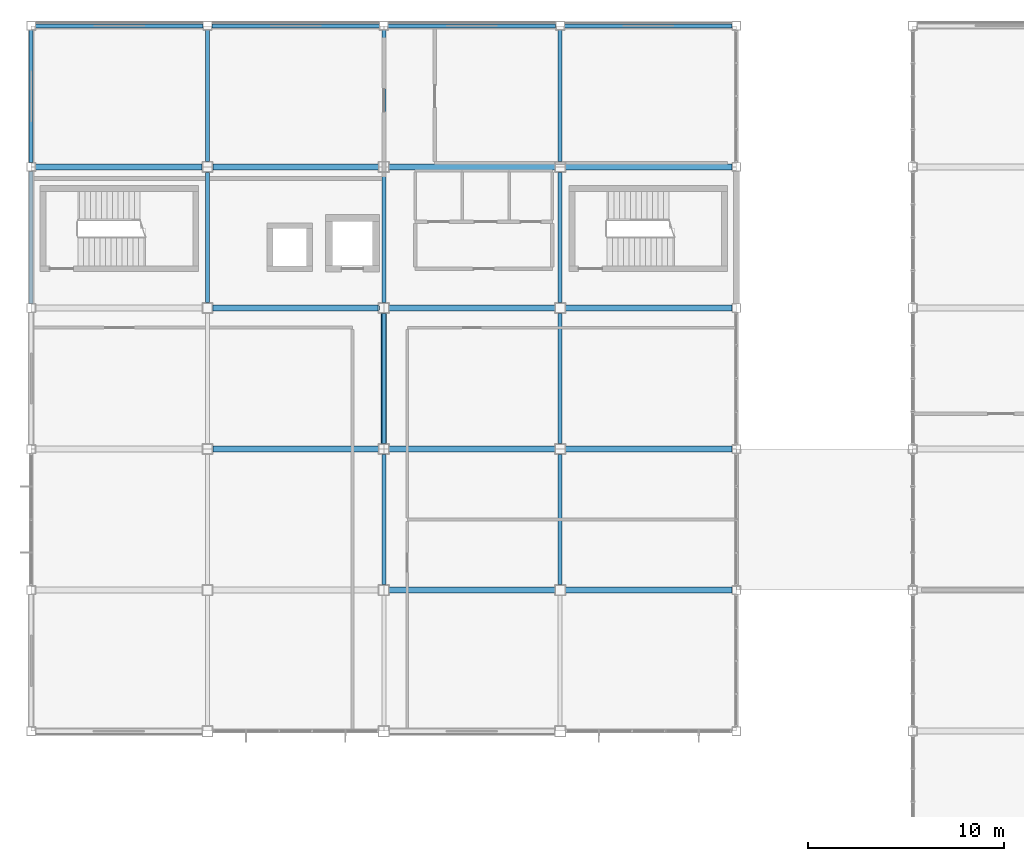
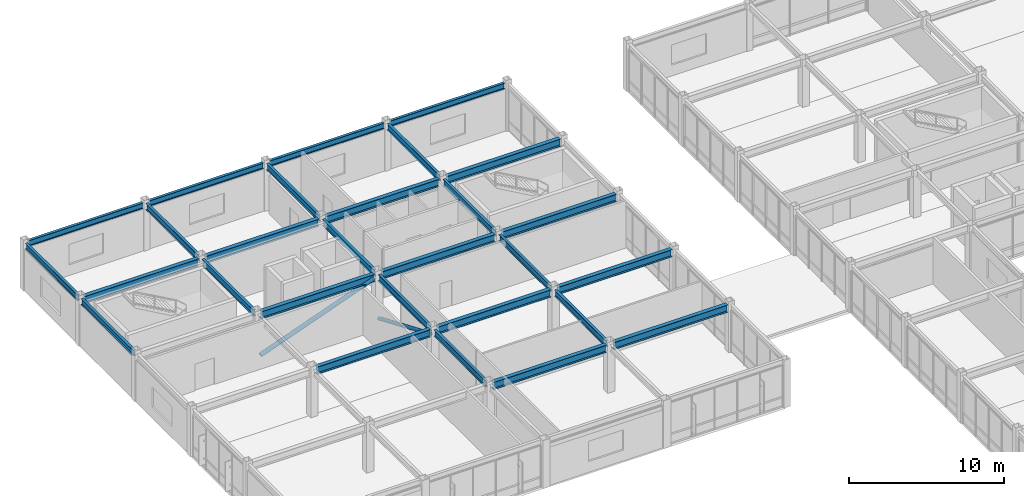
# One storey, part 55 of 113: 28 beams, 2 members.
"""IFC4 building model written with IfcOpenShell, lengths in metres."""

from ifc_helpers import new_model, si_unit, direction, frame, origin, origin_2d, place, context, subcontext, project, spatial, hollow_circle, i_section, extrude, material, material_profile, profile_set, type_object, element, save


model = new_model("IFC4")

# Units and contexts
model_context = context("Model", 3, precision=1e-05, world=origin(), true_north=direction((0.0, 1.0)))
body_context = subcontext(model_context, "Body", "Model", "MODEL_VIEW")
ifc_project = project(units=[si_unit("LENGTHUNIT", "METRE"), si_unit("AREAUNIT", "SQUARE_METRE"), si_unit("VOLUMEUNIT", "CUBIC_METRE"), si_unit("PLANEANGLEUNIT", "RADIAN"), si_unit("MASSUNIT", "GRAM", prefix="KILO")], contexts=[model_context])

# Site, building, storey
site_placement = place(None, origin())
site = spatial("IfcSite", under=ifc_project, at=site_placement, CompositionType="ELEMENT")
building_placement = place(site_placement, origin())
building = spatial("IfcBuilding", under=site, at=building_placement, Name="Kazanami Central Library", CompositionType="ELEMENT")
storey_placement = place(building_placement, frame((0.0, 0.0, 8.800048828125)))
storey = spatial("IfcBuildingStorey", under=building, at=storey_placement, Name="L03", CompositionType="ELEMENT", Elevation=8.800048828125)

# Beams
ifc_material_1 = material(Name="Steel SN490B (325 MPa)", Category="steel")
ifc_material_profile_1 = material_profile(ifc_material_1, i_section(OverallWidth=0.300048828125, OverallDepth=0.587890625, WebThickness=0.011962890625, FlangeThickness=0.02001953125, at=origin_2d()), Name="H-588x300x12x20")
ifc_profile_set_1 = profile_set([ifc_material_profile_1], Name="Steel SN490B (325 MPa)")
beam_type_1 = type_object("IfcBeamType", Name="BM-G-X2", PredefinedType="BEAM", material=ifc_profile_set_1)
beam_1_placement = place(storey_placement, frame((18.27294921875, 64.800048828125, 3.450927734375), z_axis=(1.0, 0.0, 0.0), x_axis=(0.0, 1.0, 0.0)))
element("IfcBeam", 1, at=beam_1_placement, inside=storey, type_object=beam_type_1, Name="Girder G-X2 L03 K/3-4", PredefinedType="BEAM", context=body_context, shape_type="SweptSolid", body=[
    extrude(i_section(OverallWidth=0.300048828125, OverallDepth=0.587890625, WebThickness=0.011962890625, FlangeThickness=0.02001953125, at=origin_2d()), origin(), (0.0, 0.0, 1.0), 8.4541015625),
])
beam_2_placement = place(storey_placement, frame((27.27294921875, 64.800048828125, 3.450927734375), z_axis=(1.0, 0.0, 0.0), x_axis=(0.0, 1.0, 0.0)))
element("IfcBeam", 2, at=beam_2_placement, inside=storey, type_object=beam_type_1, Name="Girder G-X2 L03 K/4-5", PredefinedType="BEAM", context=body_context, shape_type="SweptSolid", body=[
    extrude(i_section(OverallWidth=0.300048828125, OverallDepth=0.587890625, WebThickness=0.011962890625, FlangeThickness=0.02001953125, at=origin_2d()), origin(), (0.0, 0.0, 1.0), 8.504150390625),
])
for number, where, z_axis, x_axis, name in (
    (3, (9.27294921875, 72.0, 3.450927734375), (1.0, 0.0, 0.0), (0.0, 1.0, 0.0), "Girder G-X2 L03 L/2-3"),
    (4, (18.27294921875, 72.0, 3.450927734375), (1.0, 0.0, 0.0), (0.0, 1.0, 0.0), "Girder G-X2 L03 L/3-4"),
):
    element("IfcBeam", number, at=place(storey_placement, frame(where, z_axis=z_axis, x_axis=x_axis)), inside=storey, type_object=beam_type_1, Name=name, PredefinedType="BEAM", context=body_context, shape_type="SweptSolid", body=[
        extrude(i_section(OverallWidth=0.300048828125, OverallDepth=0.587890625, WebThickness=0.011962890625, FlangeThickness=0.02001953125, at=origin_2d()), origin(), (0.0, 0.0, 1.0), 8.4541015625),
    ])
beam_3_placement = place(storey_placement, frame((27.27294921875, 72.0, 3.450927734375), z_axis=(1.0, 0.0, 0.0), x_axis=(0.0, 1.0, 0.0)))
element("IfcBeam", 5, at=beam_3_placement, inside=storey, type_object=beam_type_1, Name="Girder G-X2 L03 L/4-5", PredefinedType="BEAM", context=body_context, shape_type="SweptSolid", body=[
    extrude(i_section(OverallWidth=0.300048828125, OverallDepth=0.587890625, WebThickness=0.011962890625, FlangeThickness=0.02001953125, at=origin_2d()), origin(), (0.0, 0.0, 1.0), 8.504150390625),
])
for number, where, z_axis, x_axis, name in (
    (6, (9.27294921875, 79.199951171875, 3.450927734375), (1.0, 0.0, 0.0), (0.0, 1.0, 0.0), "Girder G-X2 L03 M/2-3"),
    (7, (18.27294921875, 79.199951171875, 3.450927734375), (1.0, 0.0, 0.0), (0.0, 1.0, 0.0), "Girder G-X2 L03 M/3-4"),
):
    element("IfcBeam", number, at=place(storey_placement, frame(where, z_axis=z_axis, x_axis=x_axis)), inside=storey, type_object=beam_type_1, Name=name, PredefinedType="BEAM", context=body_context, shape_type="SweptSolid", body=[
        extrude(i_section(OverallWidth=0.300048828125, OverallDepth=0.587890625, WebThickness=0.011962890625, FlangeThickness=0.02001953125, at=origin_2d()), origin(), (0.0, 0.0, 1.0), 8.4541015625),
    ])
for number, where, z_axis, x_axis, name in (
    (8, (27.27294921875, 79.199951171875, 3.450927734375), (1.0, 0.0, 0.0), (0.0, 1.0, 0.0), "Girder G-X2 L03 M/4-5"),
    (9, (0.222900390625, 86.39990234375, 3.450927734375), (1.0, 0.0, 0.0), (0.0, 1.0, 0.0), "Girder G-X2 L03 N/1-2"),
):
    element("IfcBeam", number, at=place(storey_placement, frame(where, z_axis=z_axis, x_axis=x_axis)), inside=storey, type_object=beam_type_1, Name=name, PredefinedType="BEAM", context=body_context, shape_type="SweptSolid", body=[
        extrude(i_section(OverallWidth=0.300048828125, OverallDepth=0.587890625, WebThickness=0.011962890625, FlangeThickness=0.02001953125, at=origin_2d()), origin(), (0.0, 0.0, 1.0), 8.504150390625),
    ])
for number, where, z_axis, x_axis, name in (
    (10, (9.27294921875, 86.39990234375, 3.450927734375), (1.0, 0.0, 0.0), (0.0, 1.0, 0.0), "Girder G-X2 L03 N/2-3"),
    (11, (18.27294921875, 86.39990234375, 3.450927734375), (1.0, 0.0, 0.0), (0.0, 1.0, 0.0), "Girder G-X2 L03 N/3-4"),
):
    element("IfcBeam", number, at=place(storey_placement, frame(where, z_axis=z_axis, x_axis=x_axis)), inside=storey, type_object=beam_type_1, Name=name, PredefinedType="BEAM", context=body_context, shape_type="SweptSolid", body=[
        extrude(i_section(OverallWidth=0.300048828125, OverallDepth=0.587890625, WebThickness=0.011962890625, FlangeThickness=0.02001953125, at=origin_2d()), origin(), (0.0, 0.0, 1.0), 8.4541015625),
    ])
beam_4_placement = place(storey_placement, frame((27.27294921875, 86.39990234375, 3.450927734375), z_axis=(1.0, 0.0, 0.0), x_axis=(0.0, 1.0, 0.0)))
element("IfcBeam", 12, at=beam_4_placement, inside=storey, type_object=beam_type_1, Name="Girder G-X2 L03 N/4-5", PredefinedType="BEAM", context=body_context, shape_type="SweptSolid", body=[
    extrude(i_section(OverallWidth=0.300048828125, OverallDepth=0.587890625, WebThickness=0.011962890625, FlangeThickness=0.02001953125, at=origin_2d()), origin(), (0.0, 0.0, 1.0), 8.504150390625),
])
ifc_material_profile_2 = material_profile(ifc_material_1, i_section(OverallWidth=0.199951171875, OverallDepth=0.5, WebThickness=0.010009765625, FlangeThickness=0.01611328125, at=origin_2d()), Name="H-500x200x10x16")
ifc_profile_set_2 = profile_set([ifc_material_profile_2], Name="Steel SN490B (325 MPa)")
beam_type_2 = type_object("IfcBeamType", Name="BM-G-Y2", PredefinedType="BEAM", material=ifc_profile_set_2)
beam_5_placement = place(storey_placement, frame((9.0, 79.472900390625, 3.494873046875), z_axis=(0.0, 1.0, 0.0), x_axis=(-1.0, 0.0, 0.0)))
element("IfcBeam", 13, at=beam_5_placement, inside=storey, type_object=beam_type_2, Name="Girder G-Y2 L03 2/M-N", PredefinedType="BEAM", context=body_context, shape_type="SweptSolid", body=[
    extrude(i_section(OverallWidth=0.199951171875, OverallDepth=0.5, WebThickness=0.010009765625, FlangeThickness=0.01611328125, at=origin_2d()), origin(), (0.0, 0.0, 1.0), 6.654052734375),
])
beam_6_placement = place(storey_placement, frame((9.0, 86.673095703125, 3.494873046875), z_axis=(0.0, 1.0, 0.0), x_axis=(-1.0, 0.0, 0.0)))
element("IfcBeam", 14, at=beam_6_placement, inside=storey, type_object=beam_type_2, Name="Girder G-Y2 L03 2/N-O", PredefinedType="BEAM", context=body_context, shape_type="SweptSolid", body=[
    extrude(i_section(OverallWidth=0.199951171875, OverallDepth=0.5, WebThickness=0.010009765625, FlangeThickness=0.01611328125, at=origin_2d()), origin(), (0.0, 0.0, 1.0), 6.703857421875),
])
for number, where, z_axis, x_axis, name in (
    (15, (18.0, 65.072998046875, 3.494873046875), (0.0, 1.0, 0.0), (-1.0, 0.0, 0.0), "Girder G-Y2 L03 3/K-L"),
    (16, (18.0, 72.27294921875, 3.494873046875), (0.0, 1.0, 0.0), (-1.0, 0.0, 0.0), "Girder G-Y2 L03 3/L-M"),
    (17, (18.0, 79.472900390625, 3.494873046875), (0.0, 1.0, 0.0), (-1.0, 0.0, 0.0), "Girder G-Y2 L03 3/M-N"),
):
    element("IfcBeam", number, at=place(storey_placement, frame(where, z_axis=z_axis, x_axis=x_axis)), inside=storey, type_object=beam_type_2, Name=name, PredefinedType="BEAM", context=body_context, shape_type="SweptSolid", body=[
        extrude(i_section(OverallWidth=0.199951171875, OverallDepth=0.5, WebThickness=0.010009765625, FlangeThickness=0.01611328125, at=origin_2d()), origin(), (0.0, 0.0, 1.0), 6.654052734375),
    ])
beam_7_placement = place(storey_placement, frame((18.0, 86.673095703125, 3.494873046875), z_axis=(0.0, 1.0, 0.0), x_axis=(-1.0, 0.0, 0.0)))
element("IfcBeam", 18, at=beam_7_placement, inside=storey, type_object=beam_type_2, Name="Girder G-Y2 L03 3/N-O", PredefinedType="BEAM", context=body_context, shape_type="SweptSolid", body=[
    extrude(i_section(OverallWidth=0.199951171875, OverallDepth=0.5, WebThickness=0.010009765625, FlangeThickness=0.01611328125, at=origin_2d()), origin(), (0.0, 0.0, 1.0), 6.703857421875),
])
for number, where, z_axis, x_axis, name in (
    (19, (27.0, 65.072998046875, 3.494873046875), (0.0, 1.0, 0.0), (-1.0, 0.0, 0.0), "Girder G-Y2 L03 4/K-L"),
    (20, (27.0, 72.27294921875, 3.494873046875), (0.0, 1.0, 0.0), (-1.0, 0.0, 0.0), "Girder G-Y2 L03 4/L-M"),
    (21, (27.0, 79.472900390625, 3.494873046875), (0.0, 1.0, 0.0), (-1.0, 0.0, 0.0), "Girder G-Y2 L03 4/M-N"),
):
    element("IfcBeam", number, at=place(storey_placement, frame(where, z_axis=z_axis, x_axis=x_axis)), inside=storey, type_object=beam_type_2, Name=name, PredefinedType="BEAM", context=body_context, shape_type="SweptSolid", body=[
        extrude(i_section(OverallWidth=0.199951171875, OverallDepth=0.5, WebThickness=0.010009765625, FlangeThickness=0.01611328125, at=origin_2d()), origin(), (0.0, 0.0, 1.0), 6.654052734375),
    ])
beam_8_placement = place(storey_placement, frame((27.0, 86.673095703125, 3.494873046875), z_axis=(0.0, 1.0, 0.0), x_axis=(-1.0, 0.0, 0.0)))
element("IfcBeam", 22, at=beam_8_placement, inside=storey, type_object=beam_type_2, Name="Girder G-Y2 L03 4/N-O", PredefinedType="BEAM", context=body_context, shape_type="SweptSolid", body=[
    extrude(i_section(OverallWidth=0.199951171875, OverallDepth=0.5, WebThickness=0.010009765625, FlangeThickness=0.01611328125, at=origin_2d()), origin(), (0.0, 0.0, 1.0), 6.703857421875),
])
ifc_material_profile_3 = material_profile(ifc_material_1, i_section(OverallWidth=0.199951171875, OverallDepth=0.449951171875, WebThickness=0.009033203125, FlangeThickness=0.013916015625, at=origin_2d()), Name="H-450x200x9x14")
ifc_profile_set_3 = profile_set([ifc_material_profile_3], Name="Steel SN490B (325 MPa)")
beam_type_3 = type_object("IfcBeamType", Name="BM-SP-2", PredefinedType="SPANDREL", material=ifc_profile_set_3)
for number, where, z_axis, x_axis, name in (
    (23, (0.222900390625, 93.60009765625, 3.52001953125), (1.0, 0.0, 0.0), (0.0, 1.0, 0.0), "Girder SP-2 L03 O/1-2"),
    (24, (9.222900390625, 93.60009765625, 3.52001953125), (1.0, 0.0, 0.0), (0.0, 1.0, 0.0), "Girder SP-2 L03 O/2-3"),
    (25, (18.222900390625, 93.60009765625, 3.52001953125), (1.0, 0.0, 0.0), (0.0, 1.0, 0.0), "Girder SP-2 L03 O/3-4"),
    (26, (27.222900390625, 93.60009765625, 3.52001953125), (1.0, 0.0, 0.0), (0.0, 1.0, 0.0), "Girder SP-2 L03 O/4-5"),
):
    element("IfcBeam", number, at=place(storey_placement, frame(where, z_axis=z_axis, x_axis=x_axis)), inside=storey, type_object=beam_type_3, Name=name, PredefinedType="SPANDREL", context=body_context, shape_type="SweptSolid", body=[
        extrude(i_section(OverallWidth=0.199951171875, OverallDepth=0.449951171875, WebThickness=0.009033203125, FlangeThickness=0.013916015625, at=origin_2d()), origin(), (0.0, 0.0, 1.0), 8.55419921875),
    ])
for number, where, z_axis, x_axis, name in (
    (27, (0.0, 79.423095703125, 3.52001953125), (0.0, 1.0, 0.0), (-1.0, 0.0, 0.0), "Girder SP-2 L03 1/M-N"),
    (28, (0.0, 86.623046875, 3.52001953125), (0.0, 1.0, 0.0), (-1.0, 0.0, 0.0), "Girder SP-2 L03 1/N-O"),
):
    element("IfcBeam", number, at=place(storey_placement, frame(where, z_axis=z_axis, x_axis=x_axis)), inside=storey, type_object=beam_type_3, Name=name, PredefinedType="SPANDREL", context=body_context, shape_type="SweptSolid", body=[
        extrude(i_section(OverallWidth=0.199951171875, OverallDepth=0.449951171875, WebThickness=0.009033203125, FlangeThickness=0.013916015625, at=origin_2d()), origin(), (0.0, 0.0, 1.0), 6.75390625),
    ])

# Members
ifc_material_2 = material(Name="Steel STK490 (315 MPa)", Category="steel")
ifc_material_profile_4 = material_profile(ifc_material_2, hollow_circle(Radius=0.1591796875, WallThickness=0.01025390625, at=origin_2d()), Name="CHS-318.5x10.3")
ifc_profile_set_4 = profile_set([ifc_material_profile_4], Name="Steel STK490 (315 MPa)")
member_type_1 = type_object("IfcMemberType", Name="MEM-BR-02", PredefinedType="BRACE", material=ifc_profile_set_4)
member_1_placement = place(storey_placement, frame((9.27490234375, 79.199951171875, 0.25), z_axis=(0.938999599645, 0.0, 0.343918234274), x_axis=(0.0, 1.0, 0.0)))
element("IfcMember", 29, at=member_1_placement, inside=storey, type_object=member_type_1, Name="Concentric Steel Brace BR-02 L03 BF-V4A", PredefinedType="BRACE", context=body_context, shape_type="SweptSolid", body=[
    extrude(hollow_circle(Radius=0.1591796875, WallThickness=0.01025390625, at=origin_2d()), origin(), (0.0, 0.0, 1.0), 8.999267578125),
])
ifc_material_profile_5 = material_profile(ifc_material_2, hollow_circle(Radius=0.1337890625, WallThickness=0.00927734375, at=origin_2d()), Name="CHS-267.4x9.3")
ifc_profile_set_5 = profile_set([ifc_material_profile_5], Name="Steel STK490 (315 MPa)")
member_type_2 = type_object("IfcMemberType", Name="MEM-BR-03", PredefinedType="BRACE", material=ifc_profile_set_5)
member_2_placement = place(storey_placement, frame((18.0, 78.925048828125, 0.25), z_axis=(0.0, -0.920896777882, 0.389806521861), x_axis=(1.0, 0.0, 0.0)))
element("IfcMember", 30, at=member_2_placement, inside=storey, type_object=member_type_2, Name="Concentric Steel Brace BR-03 L03 BF-V4B", PredefinedType="BRACE", context=body_context, shape_type="SweptSolid", body=[
    extrude(hollow_circle(Radius=0.1337890625, WallThickness=0.00927734375, at=origin_2d()), origin(), (0.0, 0.0, 1.0), 7.221435546875),
])

save(model, "model.ifc")
